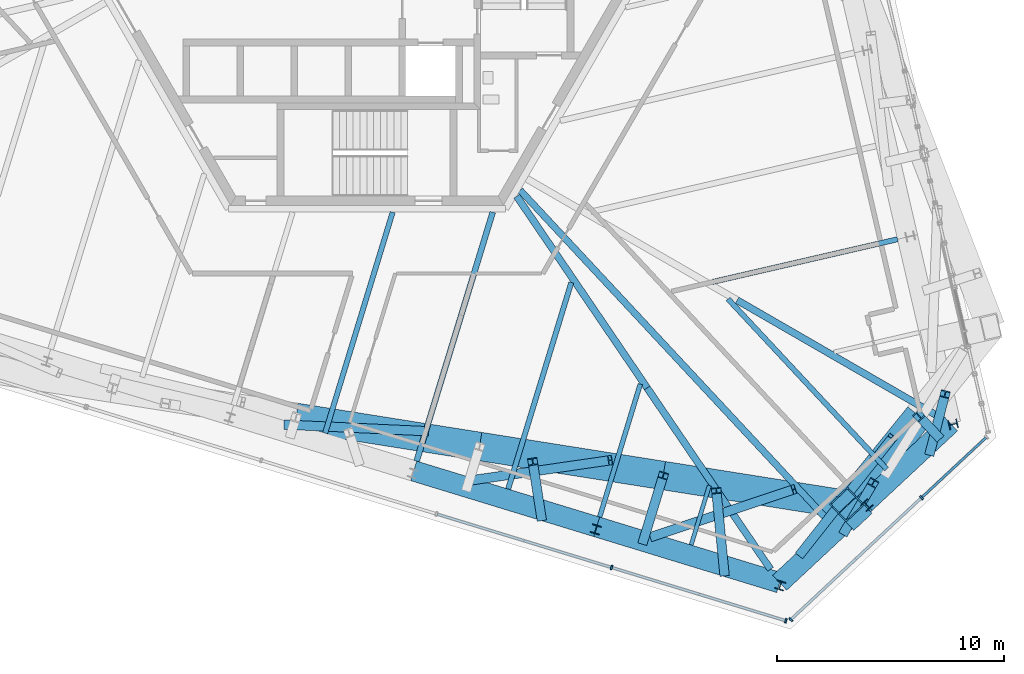
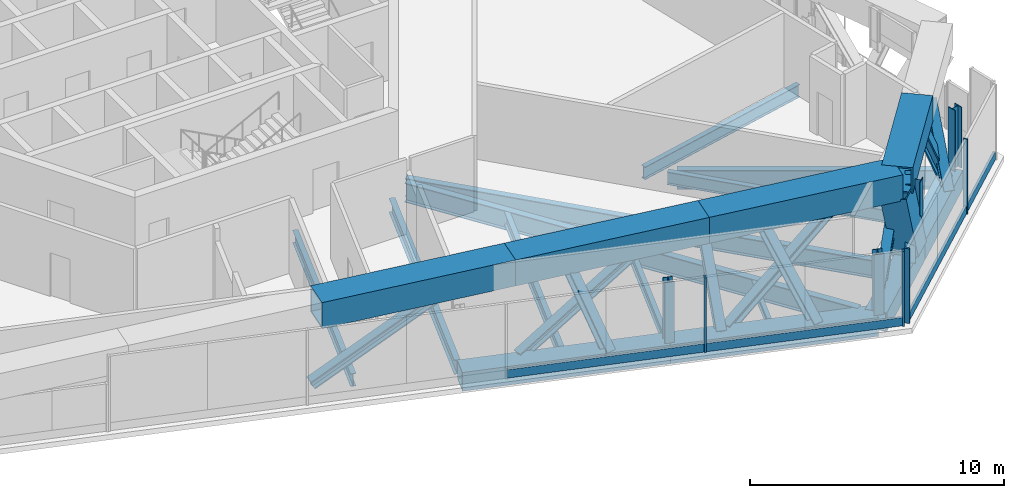
# One storey, part 4 of 31: 31 members, 11 beams, 2 elements without a shape of their own.
"""IFC4 building model written with IfcOpenShell, lengths in metres."""

from ifc_helpers import new_model, si_unit, direction, frame, origin, origin_2d, place, context, subcontext, project, spatial, rectangle, hollow_rectangle, i_section, extrude, source, transform, mapped, material, material_profile, profile_set, type_object, element, aggregate, save


model = new_model("IFC4")

# Units and contexts
model_context = context("Model", 3, precision=1e-05, world=origin(), true_north=direction((0.0, 1.0)))
body_context = subcontext(model_context, "Body", "Model", "MODEL_VIEW")
ifc_project = project(units=[si_unit("LENGTHUNIT", "METRE"), si_unit("AREAUNIT", "SQUARE_METRE"), si_unit("VOLUMEUNIT", "CUBIC_METRE"), si_unit("PLANEANGLEUNIT", "RADIAN"), si_unit("MASSUNIT", "GRAM", prefix="KILO")], contexts=[model_context])

# Site, building, storey
site_placement = place(None, origin())
site = spatial("IfcSite", under=ifc_project, at=site_placement, CompositionType="ELEMENT")
building_placement = place(site_placement, origin())
building = spatial("IfcBuilding", under=site, at=building_placement, Name="Triune Harvest Tower", CompositionType="ELEMENT")
storey_placement = place(building_placement, frame((0.0, 0.0, 134.300048828125)))
storey = spatial("IfcBuildingStorey", under=building, at=storey_placement, Name="L34", CompositionType="ELEMENT", Elevation=134.300048828125)

# Beams
ifc_material_1 = material(Name="Steel ASTM A992 Gr 50", Category="steel")
ifc_material_profile_1 = material_profile(ifc_material_1, i_section(OverallWidth=0.307373046875, OverallDepth=0.922119140625, WebThickness=0.018310546875, FlangeThickness=0.030029296875, at=origin_2d()), Name="W36x182")
ifc_profile_set_1 = profile_set([ifc_material_profile_1], Name="Steel ASTM A992 Gr 50")
beam_type_1 = type_object("IfcBeamType", Name="HG-2 Hip girder W36x182", PredefinedType="BEAM", material=ifc_profile_set_1)
beam_1_placement = place(storey_placement, frame((25.125732421875, -19.676025390625, -0.7109375), z_axis=(-0.866018885385, 0.500011290028, 0.0), x_axis=(-0.500011290028, -0.866018885385, 0.0)))
element("IfcBeam", 1, at=beam_1_placement, inside=storey, type_object=beam_type_1, Name="beam/L34/HG1", PredefinedType="BEAM", context=body_context, shape_type="SweptSolid", body=[
    extrude(i_section(OverallWidth=0.307373046875, OverallDepth=0.922119140625, WebThickness=0.018310546875, FlangeThickness=0.030029296875, at=origin_2d()), origin(), (0.0, 0.0, 1.0), 10.218994140625),
])
beam_2_placement = place(storey_placement, frame((17.740966796875, -26.39599609375, -0.7109375), z_axis=(-0.562415946644, 0.826854462986, 0.0), x_axis=(-0.826854462986, -0.562415946644, 0.0)))
element("IfcBeam", 2, at=beam_2_placement, inside=storey, type_object=beam_type_1, Name="beam/L34/HG7", PredefinedType="BEAM", context=body_context, shape_type="SweptSolid", body=[
    extrude(i_section(OverallWidth=0.307373046875, OverallDepth=0.922119140625, WebThickness=0.018310546875, FlangeThickness=0.030029296875, at=origin_2d()), origin(), (0.0, 0.0, 1.0), 9.64501953125),
])
ifc_material_2 = material(Name="Steel ASTM A992 Gr 50", Category="steel")
ifc_material_profile_2 = material_profile(ifc_material_2, i_section(OverallWidth=0.22900390625, OverallDepth=0.612060546875, WebThickness=0.011962890625, FlangeThickness=0.01953125, at=origin_2d()), Name="W24x84")
ifc_profile_set_2 = profile_set([ifc_material_profile_2], Name="Steel ASTM A992 Gr 50")
beam_type_2 = type_object("IfcBeamType", Name="JT-3 Floor joist W24x84", PredefinedType="JOIST", material=ifc_profile_set_2)
beam_3_placement = place(storey_placement, frame((23.327392578125, -11.885986328125, -0.55615234375), z_axis=(-0.974369010454, -0.224955621107, 0.0), x_axis=(0.224955621107, -0.974369010454, 0.0)))
element("IfcBeam", 3, at=beam_3_placement, inside=storey, type_object=beam_type_2, Name="beam/L34/JT2", PredefinedType="JOIST", context=body_context, shape_type="SweptSolid", body=[
    extrude(i_section(OverallWidth=0.22900390625, OverallDepth=0.612060546875, WebThickness=0.011962890625, FlangeThickness=0.01953125, at=origin_2d()), origin(), (0.0, 0.0, 1.0), 8.347900390625),
])
ifc_material_3 = material(Name="Steel ASTM A992 Gr 50", Category="steel")
ifc_material_profile_3 = material_profile(ifc_material_3, i_section(OverallWidth=0.253662109375, OverallDepth=0.683349609375, WebThickness=0.012451171875, FlangeThickness=0.01904296875, at=origin_2d()), Name="W27x94")
ifc_profile_set_3 = profile_set([ifc_material_profile_3], Name="Steel ASTM A992 Gr 50")
beam_type_3 = type_object("IfcBeamType", Name="JT-4 Floor joist W27x94", PredefinedType="JOIST", material=ifc_profile_set_3)
beam_4_placement = place(storey_placement, frame((2.18310546875, -21.639404296875, -0.591552734375), z_axis=(0.292374648345, 0.956303856003, 0.0), x_axis=(-0.956303856003, 0.292374648345, 0.0)))
element("IfcBeam", 4, at=beam_4_placement, inside=storey, type_object=beam_type_3, Name="beam/L34/JT34", PredefinedType="JOIST", context=body_context, shape_type="SweptSolid", body=[
    extrude(i_section(OverallWidth=0.253662109375, OverallDepth=0.683349609375, WebThickness=0.012451171875, FlangeThickness=0.01904296875, at=origin_2d()), origin(), (0.0, 0.0, 1.0), 11.4423828125),
])

# Member
ifc_material_4 = material(Name="Steel ASTM A992 Gr 50", Category="steel")
ifc_material_profile_4 = material_profile(ifc_material_4, i_section(OverallWidth=0.411376953125, OverallDepth=0.434326171875, WebThickness=0.035888671875, FlangeThickness=0.057373046875, at=origin_2d()), Name="W14x311")
ifc_profile_set_4 = profile_set([ifc_material_profile_4], Name="Steel ASTM A992 Gr 50")
member_type_1 = type_object("IfcMemberType", Name="TD-2 Belt truss diagonal W14x311", PredefinedType="BRACE", material=ifc_profile_set_4)
member_1_placement = place(storey_placement, frame((12.531494140625, -24.9599609375, -0.324951171875), z_axis=(0.877039264212, 0.292323523701, 0.3812467528), x_axis=(-0.316205474391, 0.948690728301, 0.0)))
element("IfcMember", 5, at=member_1_placement, inside=storey, type_object=member_type_1, Name="truss/L34/TD43", PredefinedType="BRACE", context=body_context, shape_type="SweptSolid", body=[
    extrude(i_section(OverallWidth=0.411376953125, OverallDepth=0.434326171875, WebThickness=0.035888671875, FlangeThickness=0.057373046875, at=origin_2d()), origin(), (0.0, 0.0, 1.0), 7.108154296875),
])

# Curtain wall, member
ifc_material_5 = material(Name="Aluminium bronze anodised", Category="aluminium")
curtain_wall_type = type_object("IfcCurtainWallType", Name="CW-5 Plant louvre wall", PredefinedType="NOTDEFINED", material=ifc_material_5)
curtain_wall_1_placement = place(storey_placement, origin())
curtain_wall_1 = element("IfcCurtainWall", 6, at=curtain_wall_1_placement, inside=storey, type_object=curtain_wall_type, Name="CW-5 B3-F6 L34 run 1")
ifc_material_6 = material(Name="Aluminium bronze anodised", Category="aluminium")
ifc_material_profile_5 = material_profile(ifc_material_6, rectangle(XDim=0.10009765625, YDim=0.39990234375, at=origin_2d()), Name="TR-5 transom 100 x 400")
ifc_profile_set_5 = profile_set([ifc_material_profile_5], Name="Aluminium bronze anodised")
member_type_2 = type_object("IfcMemberType", Name="TR-5 transom 100 x 400", PredefinedType="USERDEFINED", material=ifc_profile_set_5)
member_2_placement = place(storey_placement, frame((18.663818359375, -28.582763671875, 0.199951171875), z_axis=(0.731347462814, 0.682005050301, 0.0), x_axis=(-0.682005050301, 0.731347462814, 0.0)))
member_2 = element("IfcMember", 7, at=member_2_placement, type_object=member_type_2, Name="CW-5 transom B3-F6 1.1", ObjectType="TRANSOM", PredefinedType="USERDEFINED", context=body_context, shape_type="SweptSolid", body=[
    extrude(rectangle(XDim=0.10009765625, YDim=0.39990234375, at=origin_2d()), origin(), (0.0, 0.0, 1.0), 7.778076171875),
])

# Beams
shared_shape_1 = source(origin(), body_context, "Body", "SweptSolid", [
    extrude(i_section(OverallWidth=0.307373046875, OverallDepth=0.922119140625, WebThickness=0.018310546875, FlangeThickness=0.030029296875, at=origin_2d()), origin(), (0.0, 0.0, 1.0), 10.194091796875),
])
beam_5_placement = place(storey_placement, frame((12.31640625, -18.4208984375, -0.7109375), z_axis=(-0.562397141719, 0.826867253545, 0.0), x_axis=(-0.826867253545, -0.562397141719, 0.0)))
element("IfcBeam", 8, at=beam_5_placement, inside=storey, type_object=beam_type_1, Name="beam/L34/HG8", PredefinedType="BEAM", context=body_context, shape_type="MappedRepresentation", body=[
    mapped(shared_shape_1, transform((0.0, 0.0, 0.0), scale=1.0)),
])
shared_shape_2 = source(origin(), body_context, "Body", "SweptSolid", [
    extrude(i_section(OverallWidth=0.22900390625, OverallDepth=0.612060546875, WebThickness=0.011962890625, FlangeThickness=0.01953125, at=origin_2d()), origin(), (0.0, 0.0, 1.0), 10.156005859375),
])
beam_6_placement = place(storey_placement, frame((-1.84033203125, -20.4091796875, -0.55615234375), z_axis=(0.292365719711, 0.956306585744, 0.0), x_axis=(-0.956306585744, 0.292365719711, 0.0)))
element("IfcBeam", 9, at=beam_6_placement, inside=storey, type_object=beam_type_2, Name="beam/L34/JT33", PredefinedType="JOIST", context=body_context, shape_type="MappedRepresentation", body=[
    mapped(shared_shape_2, transform((0.0, 0.0, 0.0), scale=1.0)),
])
ifc_material_7 = material(Name="Steel ASTM A992 Gr 50", Category="steel")
ifc_material_profile_6 = material_profile(ifc_material_7, i_section(OverallWidth=0.2099609375, OverallDepth=0.535888671875, WebThickness=0.010986328125, FlangeThickness=0.017333984375, at=origin_2d()), Name="W21x68")
ifc_profile_set_6 = profile_set([ifc_material_profile_6], Name="Steel ASTM A992 Gr 50")
beam_type_4 = type_object("IfcBeamType", Name="JT-2 Floor joist W21x68", PredefinedType="JOIST", material=ifc_profile_set_6)
shared_shape_3 = source(origin(), body_context, "Body", "SweptSolid", [
    extrude(i_section(OverallWidth=0.2099609375, OverallDepth=0.535888671875, WebThickness=0.010986328125, FlangeThickness=0.017333984375, at=origin_2d()), origin(), (0.0, 0.0, 1.0), 6.11279296875),
])
beam_7_placement = place(storey_placement, frame((10.22998046875, -24.099609375, -0.51806640625), z_axis=(0.292356530711, 0.956309394992, 0.0), x_axis=(-0.956309394992, 0.292356530711, 0.0)))
element("IfcBeam", 10, at=beam_7_placement, inside=storey, type_object=beam_type_4, Name="beam/L34/JT36", PredefinedType="JOIST", context=body_context, shape_type="MappedRepresentation", body=[
    mapped(shared_shape_3, transform((0.0, 0.0, 0.0), scale=1.0)),
])
ifc_material_8 = material(Name="Steel ASTM A992 Gr 50", Category="steel")
ifc_material_profile_7 = material_profile(ifc_material_8, i_section(OverallWidth=0.2919921875, OverallDepth=0.8583984375, WebThickness=0.01708984375, FlangeThickness=0.031005859375, at=origin_2d()), Name="W33x169")
ifc_profile_set_7 = profile_set([ifc_material_profile_7], Name="Steel ASTM A992 Gr 50")
beam_type_5 = type_object("IfcBeamType", Name="JT-7 Floor joist W33x169", PredefinedType="JOIST", material=ifc_profile_set_7)
shared_shape_4 = source(origin(), body_context, "Body", "SweptSolid", [
    extrude(i_section(OverallWidth=0.2919921875, OverallDepth=0.8583984375, WebThickness=0.01708984375, FlangeThickness=0.031005859375, at=origin_2d()), origin(), (0.0, 0.0, 1.0), 19.954833984375),
])
beam_8_placement = place(storey_placement, frame((20.3427734375, -24.325439453125, -0.679443359375), z_axis=(-0.681992556684, 0.731359113314, 0.0), x_axis=(-0.731359113314, -0.681992556684, 0.0)))
element("IfcBeam", 11, at=beam_8_placement, inside=storey, type_object=beam_type_5, Name="beam/L34/JT38", PredefinedType="JOIST", context=body_context, shape_type="MappedRepresentation", body=[
    mapped(shared_shape_4, transform((0.0, 0.0, 0.0), scale=1.0)),
])
shared_shape_5 = source(origin(), body_context, "Body", "SweptSolid", [
    extrude(i_section(OverallWidth=0.22900390625, OverallDepth=0.612060546875, WebThickness=0.011962890625, FlangeThickness=0.01953125, at=origin_2d()), origin(), (0.0, 0.0, 1.0), 10.225341796875),
])
beam_9_placement = place(storey_placement, frame((22.84716796875, -21.989990234375, -0.55615234375), z_axis=(-0.682000025337, 0.731352148722, 0.0), x_axis=(-0.731352148722, -0.682000025337, 0.0)))
element("IfcBeam", 12, at=beam_9_placement, inside=storey, type_object=beam_type_2, Name="beam/L34/JT39", PredefinedType="JOIST", context=body_context, shape_type="MappedRepresentation", body=[
    mapped(shared_shape_5, transform((0.0, 0.0, 0.0), scale=1.0)),
])
shared_shape_6 = source(origin(), body_context, "Body", "SweptSolid", [
    extrude(i_section(OverallWidth=0.22900390625, OverallDepth=0.612060546875, WebThickness=0.011962890625, FlangeThickness=0.01953125, at=origin_2d()), origin(), (0.0, 0.0, 1.0), 9.49267578125),
])
beam_10_placement = place(storey_placement, frame((6.20654296875, -22.869384765625, -0.55615234375), z_axis=(0.292372082726, 0.956304640396, 0.0), x_axis=(-0.956304640396, 0.292372082726, 0.0)))
element("IfcBeam", 13, at=beam_10_placement, inside=storey, type_object=beam_type_2, Name="beam/L34/JT35", PredefinedType="JOIST", context=body_context, shape_type="MappedRepresentation", body=[
    mapped(shared_shape_6, transform((0.0, 0.0, 0.0), scale=1.0)),
])
ifc_material_9 = material(Name="Steel ASTM A992 Gr 50", Category="steel")
ifc_material_profile_8 = material_profile(ifc_material_9, i_section(OverallWidth=0.180908203125, OverallDepth=0.41650390625, WebThickness=0.010986328125, FlangeThickness=0.01806640625, at=origin_2d()), Name="W16x57")
ifc_profile_set_8 = profile_set([ifc_material_profile_8], Name="Steel ASTM A992 Gr 50")
beam_type_6 = type_object("IfcBeamType", Name="JT-1 Floor joist W16x57", PredefinedType="JOIST", material=ifc_profile_set_8)
shared_shape_7 = source(origin(), body_context, "Body", "SweptSolid", [
    extrude(i_section(OverallWidth=0.180908203125, OverallDepth=0.41650390625, WebThickness=0.010986328125, FlangeThickness=0.01806640625, at=origin_2d()), origin(), (0.0, 0.0, 1.0), 2.732666015625),
])
beam_11_placement = place(storey_placement, frame((14.25341796875, -25.32958984375, -0.458251953125), z_axis=(0.292327484457, 0.956318274337, 0.0), x_axis=(-0.956318274337, 0.292327484457, 0.0)))
element("IfcBeam", 14, at=beam_11_placement, inside=storey, type_object=beam_type_6, Name="beam/L34/JT37", PredefinedType="JOIST", context=body_context, shape_type="MappedRepresentation", body=[
    mapped(shared_shape_7, transform((0.0, 0.0, 0.0), scale=1.0)),
])

# Members
ifc_material_10 = material(Name="Steel ASTM A992 Gr 50", Category="steel")
ifc_material_profile_9 = material_profile(ifc_material_10, i_section(OverallWidth=0.396240234375, OverallDepth=0.381103515625, WebThickness=0.01904296875, FlangeThickness=0.0302734375, at=origin_2d()), Name="W14x159")
ifc_profile_set_9 = profile_set([ifc_material_profile_9], Name="Steel ASTM A992 Gr 50")
member_type_3 = type_object("IfcMemberType", Name="WP-3 Roof edge post W14x159", PredefinedType="POST", material=ifc_profile_set_9)
shared_shape_8 = source(origin(), body_context, "Body", "SweptSolid", [
    extrude(i_section(OverallWidth=0.396240234375, OverallDepth=0.381103515625, WebThickness=0.01904296875, FlangeThickness=0.0302734375, at=origin_2d()), origin(), (0.0, 0.0, 1.0), 2.935546875),
])
for number, where, z_axis, x_axis, name in (
    (15, (25.7734375, -20.018798828125, -0.25), (0.0, 0.0, 1.0), (-0.22495275494, 0.97436967217, 0.0), "post/L34/W0"),
    (16, (10.063232421875, -24.64453125, -0.25), (0.0, 0.0, 1.0), (0.956304755963, -0.292371704723, 0.0), "post/L34/W21"),
    (17, (18.172119140625, -27.10693359375, -0.25), (0.0, 0.0, 1.0), (0.956304755963, -0.292371704723, 0.0), "post/L34/W22"),
    (18, (21.983642578125, -23.57470703125, -0.25), (0.0, 0.0, 1.0), (0.731353701619, 0.681998360062, 0.0), "post/L34/W23"),
):
    element("IfcMember", number, at=place(storey_placement, frame(where, z_axis=z_axis, x_axis=x_axis)), inside=storey, type_object=member_type_3, Name=name, PredefinedType="POST", context=body_context, shape_type="MappedRepresentation", body=[
        mapped(shared_shape_8, transform((0.0, 0.0, 0.0), scale=1.0)),
    ])
ifc_material_11 = material(Name="Steel ASTM A572 Gr 50", Category="steel")
ifc_material_profile_10 = material_profile(ifc_material_11, hollow_rectangle(XDim=0.89990234375, YDim=0.89990234375, WallThickness=0.050048828125, at=origin_2d()), Name="Box 900x900x50")
ifc_profile_set_10 = profile_set([ifc_material_profile_10], Name="Steel ASTM A572 Gr 50")
member_type_4 = type_object("IfcMemberType", Name="TC-2 Belt truss chord Box 900x900x50", PredefinedType="CHORD", material=ifc_profile_set_10)
shared_shape_9 = source(origin(), body_context, "Body", "SweptSolid", [
    extrude(hollow_rectangle(XDim=0.89990234375, YDim=0.89990234375, WallThickness=0.050048828125, at=origin_2d()), origin(), (0.0, 0.0, 1.0), 8.414306640625),
])
member_3_placement = place(storey_placement, frame((10.098388671875, -24.52978515625, -0.699951171875), z_axis=(0.956301328629, -0.292382914791, 0.0), x_axis=(0.292382914791, 0.956301328629, 0.0)))
element("IfcMember", 19, at=member_3_placement, inside=storey, type_object=member_type_4, Name="truss/L34/TCB22", PredefinedType="CHORD", context=body_context, shape_type="MappedRepresentation", body=[
    mapped(shared_shape_9, transform((0.0, 0.0, 0.0), scale=1.0)),
])
shared_shape_10 = source(origin(), body_context, "Body", "SweptSolid", [
    extrude(hollow_rectangle(XDim=0.89990234375, YDim=0.89990234375, WallThickness=0.050048828125, at=origin_2d()), origin(), (0.0, 0.0, 1.0), 5.13671875),
])
for number, where, z_axis, x_axis, name in (
    (20, (18.14501953125, -26.989990234375, -0.699951171875), (0.731366553751, 0.681984577578, 0.0), (-0.681984577578, 0.731366553751, 0.0), "truss/L34/TCB23"),
    (21, (21.90185546875, -23.48681640625, -0.699951171875), (0.731366553751, 0.681984577578, 0.0), (-0.681984577578, 0.731366553751, 0.0), "truss/L34/TCB24"),
):
    element("IfcMember", number, at=place(storey_placement, frame(where, z_axis=z_axis, x_axis=x_axis)), inside=storey, type_object=member_type_4, Name=name, PredefinedType="CHORD", context=body_context, shape_type="MappedRepresentation", body=[
        mapped(shared_shape_10, transform((0.0, 0.0, 0.0), scale=1.0)),
    ])
shared_shape_11 = source(origin(), body_context, "Body", "SweptSolid", [
    extrude(hollow_rectangle(XDim=0.89990234375, YDim=0.89990234375, WallThickness=0.050048828125, at=origin_2d()), origin(), (0.0, 0.0, 1.0), 8.41455078125),
])
member_4_placement = place(storey_placement, frame((2.051513671875, -22.069580078125, -0.699951171875), z_axis=(0.956303808943, -0.292374802267, 0.0), x_axis=(0.292374802267, 0.956303808943, 0.0)))
element("IfcMember", 22, at=member_4_placement, inside=storey, type_object=member_type_4, Name="truss/L34/TCB21", PredefinedType="CHORD", context=body_context, shape_type="MappedRepresentation", body=[
    mapped(shared_shape_11, transform((0.0, 0.0, 0.0), scale=1.0)),
])
ifc_material_12 = material(Name="Steel ASTM A572 Gr 50", Category="steel")
ifc_material_profile_11 = material_profile(ifc_material_12, hollow_rectangle(XDim=1.25, YDim=1.25, WallThickness=0.070068359375, at=origin_2d()), Name="Box 1250x1250x70")
ifc_profile_set_11 = profile_set([ifc_material_profile_11], Name="Steel ASTM A572 Gr 50")
member_type_5 = type_object("IfcMemberType", Name="TC-1 Belt truss chord Box 1250x1250x70", PredefinedType="CHORD", material=ifc_profile_set_11)
shared_shape_12 = source(origin(), body_context, "Body", "SweptSolid", [
    extrude(hollow_rectangle(XDim=1.25, YDim=1.25, WallThickness=0.070068359375, at=origin_2d()), origin(), (0.0, 0.0, 1.0), 8.175048828125),
])
for number, where, z_axis, x_axis, name in (
    (23, (-3.122802734375, -19.716064453125, 2.974853515625), (0.987684873213, -0.156456355661, 0.0), (0.156456355661, 0.987684873213, 0.0), "truss/L34/TCT20"),
    (24, (13.02587890625, -22.27392578125, 2.974853515625), (0.987689487642, -0.156427222697, 0.0), (0.156427222697, 0.987689487642, 0.0), "truss/L34/TCT22"),
):
    element("IfcMember", number, at=place(storey_placement, frame(where, z_axis=z_axis, x_axis=x_axis)), inside=storey, type_object=member_type_5, Name=name, PredefinedType="CHORD", context=body_context, shape_type="MappedRepresentation", body=[
        mapped(shared_shape_12, transform((0.0, 0.0, 0.0), scale=1.0)),
    ])
shared_shape_13 = source(origin(), body_context, "Body", "SweptSolid", [
    extrude(hollow_rectangle(XDim=1.25, YDim=1.25, WallThickness=0.070068359375, at=origin_2d()), origin(), (0.0, 0.0, 1.0), 8.1748046875),
])
member_5_placement = place(storey_placement, frame((4.95166015625, -20.9951171875, 2.974853515625), z_axis=(0.987688756855, -0.156431836853, 0.0), x_axis=(0.156431836853, 0.987688756855, 0.0)))
element("IfcMember", 25, at=member_5_placement, inside=storey, type_object=member_type_5, Name="truss/L34/TCT21", PredefinedType="CHORD", context=body_context, shape_type="MappedRepresentation", body=[
    mapped(shared_shape_13, transform((0.0, 0.0, 0.0), scale=1.0)),
])
shared_shape_14 = source(origin(), body_context, "Body", "SweptSolid", [
    extrude(hollow_rectangle(XDim=1.25, YDim=1.25, WallThickness=0.070068359375, at=origin_2d()), origin(), (0.0, 0.0, 1.0), 5.02490234375),
])
member_6_placement = place(storey_placement, frame((21.100341796875, -23.552734375, 2.974853515625), z_axis=(0.629335191644, 0.777133975939, 0.0), x_axis=(-0.777133975939, 0.629335191644, 0.0)))
element("IfcMember", 26, at=member_6_placement, inside=storey, type_object=member_type_5, Name="truss/L34/TCT23", PredefinedType="CHORD", context=body_context, shape_type="MappedRepresentation", body=[
    mapped(shared_shape_14, transform((0.0, 0.0, 0.0), scale=1.0)),
])
ifc_material_13 = material(Name="Steel ASTM A572 Gr 50", Category="steel")
ifc_material_profile_12 = material_profile(ifc_material_13, hollow_rectangle(XDim=1.10009765625, YDim=1.10009765625, WallThickness=0.06005859375, at=origin_2d()), Name="Box 1100x1100x60")
ifc_profile_set_12 = profile_set([ifc_material_profile_12], Name="Steel ASTM A572 Gr 50")
member_type_6 = type_object("IfcMemberType", Name="TS-1 Belt truss raked strut Box 1100x1100x60", PredefinedType="STRUT", material=ifc_profile_set_12)
shared_shape_15 = source(origin(), body_context, "Body", "SweptSolid", [
    extrude(hollow_rectangle(XDim=1.10009765625, YDim=1.10009765625, WallThickness=0.06005859375, at=origin_2d()), origin(), (0.0, 0.0, 1.0), 2.70654296875),
])
member_7_placement = place(storey_placement, frame((21.440185546875, -23.917236328125, -0.275146484375), z_axis=(-0.125568814888, 0.134679770566, 0.982900723434), x_axis=(-0.731413570547, -0.681934152847, 0.0)))
element("IfcMember", 27, at=member_7_placement, inside=storey, type_object=member_type_6, Name="truss/L34/TS23", PredefinedType="STRUT", context=body_context, shape_type="MappedRepresentation", body=[
    mapped(shared_shape_15, transform((0.0, 0.0, 0.0), scale=1.0)),
])
ifc_material_14 = material(Name="Steel ASTM A992 Gr 50", Category="steel")
ifc_material_profile_13 = material_profile(ifc_material_14, i_section(OverallWidth=0.411376953125, OverallDepth=0.434326171875, WebThickness=0.035888671875, FlangeThickness=0.057373046875, at=origin_2d()), Name="W14x311")
ifc_profile_set_13 = profile_set([ifc_material_profile_13], Name="Steel ASTM A992 Gr 50")
member_type_7 = type_object("IfcMemberType", Name="TV-1 Belt truss strut W14x311", PredefinedType="STRUT", material=ifc_profile_set_13)
shared_shape_16 = source(origin(), body_context, "Body", "SweptSolid", [
    extrude(i_section(OverallWidth=0.411376953125, OverallDepth=0.434326171875, WebThickness=0.035888671875, FlangeThickness=0.057373046875, at=origin_2d()), origin(), (0.0, 0.0, 1.0), 4.01953125),
])
member_8_placement = place(storey_placement, frame((12.14501953125, -25.155517578125, -0.275146484375), z_axis=(0.21914965455, 0.716913351622, 0.661822238352), x_axis=(-0.956316970812, 0.292331748766, 0.0)))
element("IfcMember", 28, at=member_8_placement, inside=storey, type_object=member_type_7, Name="truss/L34/TS22", PredefinedType="STRUT", context=body_context, shape_type="MappedRepresentation", body=[
    mapped(shared_shape_16, transform((0.0, 0.0, 0.0), scale=1.0)),
])
shared_shape_17 = source(origin(), body_context, "Body", "SweptSolid", [
    extrude(i_section(OverallWidth=0.411376953125, OverallDepth=0.434326171875, WebThickness=0.035888671875, FlangeThickness=0.057373046875, at=origin_2d()), origin(), (0.0, 0.0, 1.0), 2.91748046875),
])
member_9_placement = place(storey_placement, frame((25.07958984375, -20.523681640625, -0.275146484375), z_axis=(-0.280010023892, 0.300261794897, 0.911831805239), x_axis=(-0.731339887954, -0.682013173104, 0.0)))
element("IfcMember", 29, at=member_9_placement, inside=storey, type_object=member_type_7, Name="truss/L34/TS24", PredefinedType="STRUT", context=body_context, shape_type="MappedRepresentation", body=[
    mapped(shared_shape_17, transform((0.0, 0.0, 0.0), scale=1.0)),
])
shared_shape_18 = source(origin(), body_context, "Body", "SweptSolid", [
    extrude(i_section(OverallWidth=0.411376953125, OverallDepth=0.434326171875, WebThickness=0.035888671875, FlangeThickness=0.057373046875, at=origin_2d()), origin(), (0.0, 0.0, 1.0), 6.75341796875),
])
member_10_placement = place(storey_placement, frame((-3.562255859375, -20.039794921875, -0.324951171875), z_axis=(0.914985919334, -0.042152255312, 0.401277902197), x_axis=(0.046019938677, 0.998940521375, 0.0)))
element("IfcMember", 30, at=member_10_placement, inside=storey, type_object=member_type_1, Name="truss/L34/TD39", PredefinedType="BRACE", context=body_context, shape_type="MappedRepresentation", body=[
    mapped(shared_shape_18, transform((0.0, 0.0, 0.0), scale=1.0)),
])
shared_shape_19 = source(origin(), body_context, "Body", "SweptSolid", [
    extrude(i_section(OverallWidth=0.411376953125, OverallDepth=0.434326171875, WebThickness=0.035888671875, FlangeThickness=0.057373046875, at=origin_2d()), origin(), (0.0, 0.0, 1.0), 6.831787109375),
])
member_11_placement = place(storey_placement, frame((4.484619140625, -22.499755859375, -0.324951171875), z_axis=(0.908530838054, 0.131224687776, 0.396675935271), x_axis=(-0.142952711965, 0.989729519688, 0.0)))
element("IfcMember", 31, at=member_11_placement, inside=storey, type_object=member_type_1, Name="truss/L34/TD41", PredefinedType="BRACE", context=body_context, shape_type="MappedRepresentation", body=[
    mapped(shared_shape_19, transform((0.0, 0.0, 0.0), scale=1.0)),
])
shared_shape_20 = source(origin(), body_context, "Body", "SweptSolid", [
    extrude(i_section(OverallWidth=0.411376953125, OverallDepth=0.434326171875, WebThickness=0.035888671875, FlangeThickness=0.057373046875, at=origin_2d()), origin(), (0.0, 0.0, 1.0), 3.662353515625),
])
member_12_placement = place(storey_placement, frame((7.665283203125, -24.099609375, -0.324951171875), z_axis=(-0.103528108977, 0.664633127171, 0.739962659138), x_axis=(-0.988084670912, -0.153911283242, 0.0)))
element("IfcMember", 32, at=member_12_placement, inside=storey, type_object=member_type_1, Name="truss/L34/TD42", PredefinedType="BRACE", context=body_context, shape_type="MappedRepresentation", body=[
    mapped(shared_shape_20, transform((0.0, 0.0, 0.0), scale=1.0)),
])
shared_shape_21 = source(origin(), body_context, "Body", "SweptSolid", [
    extrude(i_section(OverallWidth=0.411376953125, OverallDepth=0.434326171875, WebThickness=0.035888671875, FlangeThickness=0.057373046875, at=origin_2d()), origin(), (0.0, 0.0, 1.0), 4.531982421875),
])
member_13_placement = place(storey_placement, frame((15.7119140625, -26.559814453125, -0.324951171875), z_axis=(-0.077519546274, 0.797767172179, 0.597961753743), x_axis=(-0.995312105208, -0.096715113741, 0.0)))
element("IfcMember", 33, at=member_13_placement, inside=storey, type_object=member_type_1, Name="truss/L34/TD44", PredefinedType="BRACE", context=body_context, shape_type="MappedRepresentation", body=[
    mapped(shared_shape_21, transform((0.0, 0.0, 0.0), scale=1.0)),
])
shared_shape_22 = source(origin(), body_context, "Body", "SweptSolid", [
    extrude(i_section(OverallWidth=0.411376953125, OverallDepth=0.434326171875, WebThickness=0.035888671875, FlangeThickness=0.057373046875, at=origin_2d()), origin(), (0.0, 0.0, 1.0), 7.09423828125),
])
member_14_placement = place(storey_placement, frame((19.04296875, -25.742431640625, -0.324951171875), z_axis=(0.573198703283, 0.724929796149, 0.381994813067), x_axis=(-0.784416434225, 0.620234518322, 0.0)))
element("IfcMember", 34, at=member_14_placement, inside=storey, type_object=member_type_1, Name="truss/L34/TD45", PredefinedType="BRACE", context=body_context, shape_type="MappedRepresentation", body=[
    mapped(shared_shape_22, transform((0.0, 0.0, 0.0), scale=1.0)),
])
shared_shape_23 = source(origin(), body_context, "Body", "SweptSolid", [
    extrude(i_section(OverallWidth=0.411376953125, OverallDepth=0.434326171875, WebThickness=0.035888671875, FlangeThickness=0.057373046875, at=origin_2d()), origin(), (0.0, 0.0, 1.0), 3.668701171875),
])
member_15_placement = place(storey_placement, frame((21.00390625, -24.734375, -0.324951171875), z_axis=(0.340660255057, 0.581631300879, 0.738685061757), x_axis=(-0.862889511904, 0.505392610004, 0.0)))
element("IfcMember", 35, at=member_15_placement, inside=storey, type_object=member_type_1, Name="truss/L34/TD46", PredefinedType="BRACE", context=body_context, shape_type="MappedRepresentation", body=[
    mapped(shared_shape_23, transform((0.0, 0.0, 0.0), scale=1.0)),
])
shared_shape_24 = source(origin(), body_context, "Body", "SweptSolid", [
    extrude(i_section(OverallWidth=0.411376953125, OverallDepth=0.434326171875, WebThickness=0.035888671875, FlangeThickness=0.057373046875, at=origin_2d()), origin(), (0.0, 0.0, 1.0), 3.768798828125),
])
member_16_placement = place(storey_placement, frame((24.7607421875, -21.231201171875, -0.324951171875), z_axis=(0.173867010609, 0.672860148732, 0.719047622116), x_axis=(-0.968198704487, 0.250182470669, 0.0)))
element("IfcMember", 36, at=member_16_placement, inside=storey, type_object=member_type_1, Name="truss/L34/TD48", PredefinedType="BRACE", context=body_context, shape_type="MappedRepresentation", body=[
    mapped(shared_shape_24, transform((0.0, 0.0, 0.0), scale=1.0)),
])

# Curtain wall, members
curtain_wall_2_placement = place(storey_placement, origin())
curtain_wall_2 = element("IfcCurtainWall", 37, at=curtain_wall_2_placement, inside=storey, type_object=curtain_wall_type, Name="CW-5 B3-F5 L34 run 1401")
ifc_material_15 = material(Name="Aluminium bronze anodised", Category="aluminium")
ifc_material_profile_14 = material_profile(ifc_material_15, rectangle(XDim=0.199951171875, YDim=0.080078125, at=origin_2d()), Name="MU-5 mullion 80 x 200")
ifc_profile_set_14 = profile_set([ifc_material_profile_14], Name="Aluminium bronze anodised")
member_type_8 = type_object("IfcMemberType", Name="MU-5 mullion 80 x 200", PredefinedType="MULLION", material=ifc_profile_set_14)
shared_shape_25 = source(origin(), body_context, "Body", "SweptSolid", [
    extrude(rectangle(XDim=0.199951171875, YDim=0.080078125, at=origin_2d()), origin(), (0.0, 0.0, 1.0), 3.599853515625),
])
member_17_placement = place(storey_placement, frame((10.752685546875, -26.318115234375, 0.0), z_axis=(0.0, 0.0, 1.0), x_axis=(0.292373914166, 0.956304080466, 0.0)))
member_17 = element("IfcMember", 38, at=member_17_placement, type_object=member_type_8, Name="CW-5 mullion B3-F5 1401.7", PredefinedType="MULLION", context=body_context, shape_type="MappedRepresentation", body=[
    mapped(shared_shape_25, transform((0.0, 0.0, 0.0), scale=1.0)),
])
member_18_placement = place(storey_placement, frame((18.415283203125, -28.66064453125, 0.0), z_axis=(0.0, 0.0, 1.0), x_axis=(0.292373914166, 0.956304080466, 0.0)))
member_18 = element("IfcMember", 39, at=member_18_placement, type_object=member_type_8, Name="CW-5 mullion B3-F5 1401.9", PredefinedType="MULLION", context=body_context, shape_type="MappedRepresentation", body=[
    mapped(shared_shape_25, transform((0.0, 0.0, 0.0), scale=1.0)),
])

# Member
member_19_placement = place(storey_placement, frame((18.634765625, -28.610107421875, 0.0), z_axis=(0.0, 0.0, 1.0), x_axis=(-0.682002387287, 0.731349946151, 0.0)))
member_19 = element("IfcMember", 40, at=member_19_placement, type_object=member_type_8, Name="CW-5 mullion B3-F6 1.1", PredefinedType="MULLION", context=body_context, shape_type="MappedRepresentation", body=[
    mapped(shared_shape_25, transform((0.0, 0.0, 0.0), scale=1.0)),
])

member_20_placement = place(storey_placement, frame((24.381591796875, -23.2509765625, 0.0), z_axis=(0.0, 0.0, 1.0), x_axis=(-0.682002387287, 0.731349946151, 0.0)))
member_20 = element("IfcMember", 41, at=member_20_placement, type_object=member_type_8, Name="CW-5 mullion B3-F6 1.3", PredefinedType="MULLION", context=body_context, shape_type="MappedRepresentation", body=[
    mapped(shared_shape_25, transform((0.0, 0.0, 0.0), scale=1.0)),
])

shared_shape_26 = source(origin(), body_context, "Body", "SweptSolid", [
    extrude(rectangle(XDim=0.10009765625, YDim=0.39990234375, at=origin_2d()), origin(), (0.0, 0.0, 1.0), 7.97265625),
])
member_21_placement = place(storey_placement, frame((3.09033203125, -23.975341796875, 0.199951171875), z_axis=(0.95630187443, -0.292381129625, 0.0), x_axis=(0.292381129625, 0.95630187443, 0.0)))
member_21 = element("IfcMember", 42, at=member_21_placement, type_object=member_type_2, Name="CW-5 transom B3-F5 1401.3", ObjectType="TRANSOM", PredefinedType="USERDEFINED", context=body_context, shape_type="MappedRepresentation", body=[
    mapped(shared_shape_26, transform((0.0, 0.0, 0.0), scale=1.0)),
])

shared_shape_27 = source(origin(), body_context, "Body", "SweptSolid", [
    extrude(rectangle(XDim=0.10009765625, YDim=0.39990234375, at=origin_2d()), origin(), (0.0, 0.0, 1.0), 7.9326171875),
])
member_22_placement = place(storey_placement, frame((10.791015625, -26.329833984375, 0.199951171875), z_axis=(0.956310467352, -0.292353022959, 0.0), x_axis=(0.292353022959, 0.956310467352, 0.0)))
member_22 = element("IfcMember", 43, at=member_22_placement, type_object=member_type_2, Name="CW-5 transom B3-F5 1401.4", ObjectType="TRANSOM", PredefinedType="USERDEFINED", context=body_context, shape_type="MappedRepresentation", body=[
    mapped(shared_shape_27, transform((0.0, 0.0, 0.0), scale=1.0)),
])

aggregate(curtain_wall_2, [member_17, member_18, member_21, member_22])

shared_shape_28 = source(origin(), body_context, "Body", "SweptSolid", [
    extrude(rectangle(XDim=0.10009765625, YDim=0.39990234375, at=origin_2d()), origin(), (0.0, 0.0, 1.0), 3.828857421875),
])
member_23_placement = place(storey_placement, frame((24.410888671875, -23.2236328125, 0.199951171875), z_axis=(0.731352049048, 0.682000132224, 0.0), x_axis=(-0.682000132224, 0.731352049048, 0.0)))
member_23 = element("IfcMember", 44, at=member_23_placement, type_object=member_type_2, Name="CW-5 transom B3-F6 1.2", ObjectType="TRANSOM", PredefinedType="USERDEFINED", context=body_context, shape_type="MappedRepresentation", body=[
    mapped(shared_shape_28, transform((0.0, 0.0, 0.0), scale=1.0)),
])

aggregate(curtain_wall_1, [member_19, member_20, member_2, member_23])

save(model, "model.ifc")
